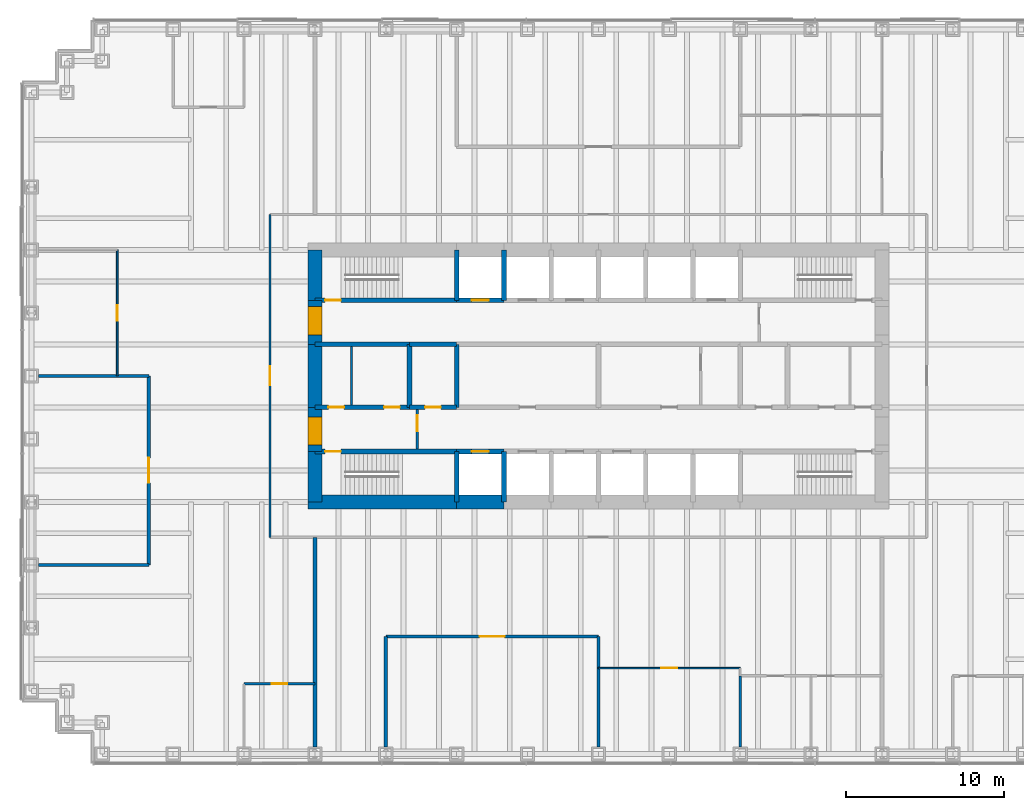
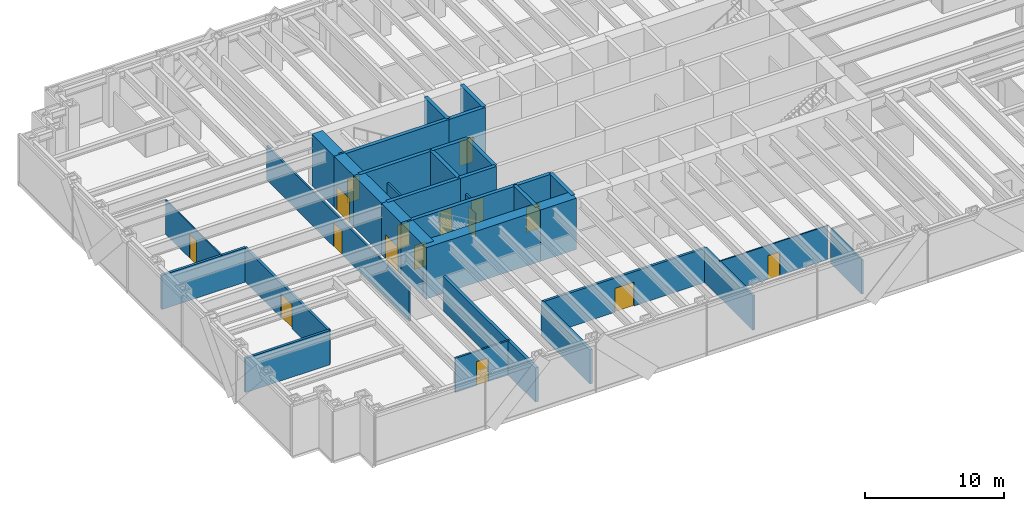
# One storey, part 9 of 13: 35 walls, 16 doors, 16 openings.
"""IFC4 building model written with IfcOpenShell, lengths in metres."""

from ifc_helpers import new_model, si_unit, direction, frame, frame_2d, origin, place, context, subcontext, project, spatial, rectangle, extrude, material, layer, layer_set, type_object, element, fill, save


model = new_model("IFC4")

# Units and contexts
model_context = context("Model", 3, precision=1e-05, world=origin(), true_north=direction((0.0, 1.0)))
body_context = subcontext(model_context, "Body", "Model", "MODEL_VIEW")
ifc_project = project(units=[si_unit("LENGTHUNIT", "METRE"), si_unit("AREAUNIT", "SQUARE_METRE"), si_unit("VOLUMEUNIT", "CUBIC_METRE"), si_unit("PLANEANGLEUNIT", "RADIAN"), si_unit("MASSUNIT", "GRAM", prefix="KILO")], contexts=[model_context])

# Site, building, storey
site_placement = place(None, origin())
site = spatial("IfcSite", under=ifc_project, at=site_placement, CompositionType="ELEMENT")
building_placement = place(site_placement, origin())
building = spatial("IfcBuilding", under=site, at=building_placement, Name="Rheinbord Bourse Tower", CompositionType="ELEMENT")
storey_placement = place(building_placement, frame((0.0, 0.0, 72.5)))
storey = spatial("IfcBuildingStorey", under=building, at=storey_placement, Name="L15", CompositionType="ELEMENT", Elevation=72.5)

# Wall, opening, door
ifc_material_1 = material(Name="Acoustic gypsum board partition", Category="gypsum board")
ifc_layer_1 = layer(ifc_material_1, 0.199951171875)
ifc_layer_set_1 = layer_set([ifc_layer_1], Name="ACOUSTIC PARTITION 200")
wall_type_1 = type_object("IfcWallType", Name="ACOUSTIC PARTITION 200", PredefinedType="PARTITIONING", material=ifc_layer_set_1)
wall_1_placement = place(storey_placement, frame((22.5, 7.449951171875, 0.0), z_axis=(0.0, 0.0, 1.0), x_axis=(1.0, 0.0, 0.0)))
wall_1 = element("IfcWall", 1, at=wall_1_placement, inside=storey, type_object=wall_type_1, Name="Partition L15-06", PredefinedType="PARTITIONING", context=body_context, shape_type="SweptSolid", body=[
    extrude(rectangle(XDim=13.5, YDim=0.199951171875, at=frame_2d((6.75, 0.0))), origin(), (0.0, 0.0, 1.0), 3.0),
])
opening_1_placement = place(wall_1_placement, frame((5.949951171875, 0.0, 0.0)))
opening_1 = element("IfcOpeningElement", 2, at=opening_1_placement, cuts=wall_1, Name="Opening 15D07", PredefinedType="OPENING", context=body_context, shape_type="SweptSolid", body=[
    extrude(rectangle(XDim=1.60009765625, YDim=2.10009765625, at=frame_2d((0.800048828125, 1.050048828125))), frame((0.0, 0.10986328125, 0.0), z_axis=(0.0, -1.0, 0.0), x_axis=(1.0, 0.0, 0.0)), (0.0, 0.0, 1.0), 0.219970703125),
])
ifc_material_2 = material(Name="Timber door", Category="wood")
door_type_1 = type_object("IfcDoorType", Name="DOUBLE ROOM DOOR 1600", OperationType="DOUBLE_DOOR_DOUBLE_SWING", PredefinedType="DOOR", material=ifc_material_2)
door_1_placement = place(opening_1_placement, origin())
door_1 = element("IfcDoor", 3, at=door_1_placement, inside=storey, type_object=door_type_1, Name="Trading room door L15", OperationType="SINGLE_SWING_LEFT", OverallHeight=2.10009765625, OverallWidth=1.60009765625, PredefinedType="DOOR", context=body_context, shape_type="SweptSolid", body=[
    extrude(rectangle(XDim=1.60009765625, YDim=2.10009765625, at=frame_2d((0.800048828125, 1.050048828125))), frame((0.0, 0.02490234375, 0.0), z_axis=(0.0, -1.0, 0.0), x_axis=(1.0, 0.0, 0.0)), (0.0, 0.0, 1.0), 0.050048828125),
])
fill(opening_1, door_1)

# Walls
for number, where, z_axis, x_axis, name in (
    (4, (0.449951171875, 12.0, 0.0), (0.0, 0.0, 1.0), (1.0, 0.0, 0.0), "Partition L15-07"),
    (5, (0.449951171875, 24.0, 0.0), (0.0, 0.0, 1.0), (1.0, 0.0, 0.0), "Partition L15-11"),
):
    element("IfcWall", number, at=place(storey_placement, frame(where, z_axis=z_axis, x_axis=x_axis)), inside=storey, type_object=wall_type_1, Name=name, PredefinedType="PARTITIONING", context=body_context, shape_type="SweptSolid", body=[
        extrude(rectangle(XDim=7.0, YDim=0.199951171875, at=frame_2d((3.5, 0.0))), origin(), (0.0, 0.0, 1.0), 3.0),
    ])

# Wall, opening, door
wall_2_placement = place(storey_placement, frame((7.449951171875, 12.0, 0.0), z_axis=(0.0, 0.0, 1.0), x_axis=(0.0, 1.0, 0.0)))
wall_2 = element("IfcWall", 6, at=wall_2_placement, inside=storey, type_object=wall_type_1, Name="Partition L15-22", PredefinedType="PARTITIONING", context=body_context, shape_type="SweptSolid", body=[
    extrude(rectangle(XDim=12.0, YDim=0.199951171875, at=frame_2d((6.0, 0.0))), origin(), (0.0, 0.0, 1.0), 3.0),
])
opening_2_placement = place(wall_2_placement, frame((5.199951171875, 0.0, 0.0)))
opening_2 = element("IfcOpeningElement", 7, at=opening_2_placement, cuts=wall_2, Name="Opening 15D09", PredefinedType="OPENING", context=body_context, shape_type="SweptSolid", body=[
    extrude(rectangle(XDim=1.60009765625, YDim=2.10009765625, at=frame_2d((0.800048828125, 1.050048828125))), frame((0.0, 0.10986328125, 0.0), z_axis=(0.0, -1.0, 0.0), x_axis=(1.0, 0.0, 0.0)), (0.0, 0.0, 1.0), 0.219970703125),
])
door_2_placement = place(opening_2_placement, origin())
door_2 = element("IfcDoor", 8, at=door_2_placement, inside=storey, type_object=door_type_1, Name="Trading room door L15", OperationType="SINGLE_SWING_LEFT", OverallHeight=2.10009765625, OverallWidth=1.60009765625, PredefinedType="DOOR", context=body_context, shape_type="SweptSolid", body=[
    extrude(rectangle(XDim=1.60009765625, YDim=2.10009765625, at=frame_2d((0.800048828125, 1.050048828125))), frame((0.0, 0.02490234375, 0.0), z_axis=(0.0, -1.0, 0.0), x_axis=(1.0, 0.0, 0.0)), (0.0, 0.0, 1.0), 0.050048828125),
])
fill(opening_2, door_2)

# Walls
for number, where, z_axis, x_axis, name in (
    (9, (22.5, 0.449951171875, 0.0), (0.0, 0.0, 1.0), (0.0, 1.0, 0.0), "Partition L15-29"),
    (10, (36.0, 0.449951171875, 0.0), (0.0, 0.0, 1.0), (0.0, 1.0, 0.0), "Partition L15-31"),
):
    element("IfcWall", number, at=place(storey_placement, frame(where, z_axis=z_axis, x_axis=x_axis)), inside=storey, type_object=wall_type_1, Name=name, PredefinedType="PARTITIONING", context=body_context, shape_type="SweptSolid", body=[
        extrude(rectangle(XDim=7.0, YDim=0.199951171875, at=frame_2d((3.5, 0.0))), origin(), (0.0, 0.0, 1.0), 3.0),
    ])

# Wall, opening, door
ifc_material_3 = material(Name="Concrete C50/60", Category="concrete")
ifc_layer_2 = layer(ifc_material_3, 0.300048828125)
ifc_layer_set_2 = layer_set([ifc_layer_2], Name="CORE INNER WALL 300")
wall_type_2 = type_object("IfcWallType", Name="CORE INNER WALL 300", PredefinedType="SOLIDWALL", material=ifc_layer_set_2)
wall_3_placement = place(storey_placement, frame((18.0, 19.199951171875, 0.0), z_axis=(0.0, 0.0, 1.0), x_axis=(1.0, 0.0, 0.0)))
wall_3 = element("IfcWall", 11, at=wall_3_placement, inside=storey, type_object=wall_type_2, Name="Core wall A1 L15", PredefinedType="SOLIDWALL", context=body_context, shape_type="SweptSolid", body=[
    extrude(rectangle(XDim=9.0, YDim=0.300048828125, at=frame_2d((4.5, 0.0))), origin(), (0.0, 0.0, 1.0), 4.5),
])
opening_3_placement = place(wall_3_placement, frame((0.64990234375, 0.0, 0.0)))
opening_3 = element("IfcOpeningElement", 12, at=opening_3_placement, cuts=wall_3, Name="Opening 1510", PredefinedType="OPENING", context=body_context, shape_type="SweptSolid", body=[
    extrude(rectangle(XDim=1.0, YDim=2.10009765625, at=frame_2d((0.5, 1.050048828125))), frame((0.0, 0.159912109375, 0.0), z_axis=(0.0, -1.0, 0.0), x_axis=(1.0, 0.0, 0.0)), (0.0, 0.0, 1.0), 0.320068359375),
])
ifc_material_4 = material(Name="Steel door", Category="steel")
door_type_2 = type_object("IfcDoorType", Name="DOOR 1000 EI30", OperationType="SINGLE_SWING_LEFT", PredefinedType="DOOR", material=ifc_material_4)
door_3_placement = place(opening_3_placement, origin())
door_3 = element("IfcDoor", 13, at=door_3_placement, inside=storey, type_object=door_type_2, Name="Stair door ST1 L15", OperationType="SINGLE_SWING_LEFT", OverallHeight=2.10009765625, OverallWidth=1.0, PredefinedType="DOOR", context=body_context, shape_type="SweptSolid", body=[
    extrude(rectangle(XDim=1.0, YDim=2.10009765625, at=frame_2d((0.5, 1.050048828125))), frame((0.0, 0.02490234375, 0.0), z_axis=(0.0, -1.0, 0.0), x_axis=(1.0, 0.0, 0.0)), (0.0, 0.0, 1.0), 0.050048828125),
])
fill(opening_3, door_3)

wall_4_placement = place(storey_placement, frame((27.0, 19.199951171875, 0.0), z_axis=(0.0, 0.0, 1.0), x_axis=(1.0, 0.0, 0.0)))
wall_4 = element("IfcWall", 14, at=wall_4_placement, inside=storey, type_object=wall_type_2, Name="Core wall A2 L15", PredefinedType="SOLIDWALL", context=body_context, shape_type="SweptSolid", body=[
    extrude(rectangle(XDim=3.0, YDim=0.300048828125, at=frame_2d((1.5, 0.0))), origin(), (0.0, 0.0, 1.0), 4.5),
])
opening_4_placement = place(wall_4_placement, frame((0.949951171875, 0.0, 0.0)))
opening_4 = element("IfcOpeningElement", 15, at=opening_4_placement, cuts=wall_4, Name="Opening FL1", PredefinedType="OPENING", context=body_context, shape_type="SweptSolid", body=[
    extrude(rectangle(XDim=1.10009765625, YDim=2.199951171875, at=frame_2d((0.550048828125, 1.10009765625))), frame((0.0, 0.159912109375, 0.0), z_axis=(0.0, -1.0, 0.0), x_axis=(1.0, 0.0, 0.0)), (0.0, 0.0, 1.0), 0.320068359375),
])
ifc_material_5 = material(Name="Steel landing door", Category="steel")
door_type_3 = type_object("IfcDoorType", Name="LIFT LANDING DOOR 1100", OperationType="DOUBLE_DOOR_SLIDING", PredefinedType="USERDEFINED", material=ifc_material_5)
door_4_placement = place(opening_4_placement, origin())
door_4 = element("IfcDoor", 16, at=door_4_placement, inside=storey, type_object=door_type_3, Name="Lift landing door FL1 L15", ObjectType="LIFT LANDING DOOR", OperationType="DOUBLE_DOOR_SLIDING", OverallHeight=2.199951171875, OverallWidth=1.10009765625, PredefinedType="USERDEFINED", context=body_context, shape_type="SweptSolid", body=[
    extrude(rectangle(XDim=1.10009765625, YDim=2.199951171875, at=frame_2d((0.550048828125, 1.10009765625))), frame((0.0, 0.02490234375, 0.0), z_axis=(0.0, -1.0, 0.0), x_axis=(1.0, 0.0, 0.0)), (0.0, 0.0, 1.0), 0.050048828125),
])
fill(opening_4, door_4)

wall_5_placement = place(storey_placement, frame((18.0, 28.800048828125, 0.0), z_axis=(0.0, 0.0, 1.0), x_axis=(1.0, 0.0, 0.0)))
wall_5 = element("IfcWall", 17, at=wall_5_placement, inside=storey, type_object=wall_type_2, Name="Core wall B1 L15", PredefinedType="SOLIDWALL", context=body_context, shape_type="SweptSolid", body=[
    extrude(rectangle(XDim=9.0, YDim=0.300048828125, at=frame_2d((4.5, 0.0))), origin(), (0.0, 0.0, 1.0), 4.5),
])
opening_5_placement = place(wall_5_placement, frame((0.64990234375, 0.0, 0.0)))
opening_5 = element("IfcOpeningElement", 18, at=opening_5_placement, cuts=wall_5, Name="Opening 1520", PredefinedType="OPENING", context=body_context, shape_type="SweptSolid", body=[
    extrude(rectangle(XDim=1.0, YDim=2.10009765625, at=frame_2d((0.5, 1.050048828125))), frame((0.0, 0.159912109375, 0.0), z_axis=(0.0, -1.0, 0.0), x_axis=(1.0, 0.0, 0.0)), (0.0, 0.0, 1.0), 0.320068359375),
])
door_5_placement = place(opening_5_placement, origin())
door_5 = element("IfcDoor", 19, at=door_5_placement, inside=storey, type_object=door_type_2, Name="Stair door ST2 L15", OperationType="SINGLE_SWING_LEFT", OverallHeight=2.10009765625, OverallWidth=1.0, PredefinedType="DOOR", context=body_context, shape_type="SweptSolid", body=[
    extrude(rectangle(XDim=1.0, YDim=2.10009765625, at=frame_2d((0.5, 1.050048828125))), frame((0.0, 0.02490234375, 0.0), z_axis=(0.0, -1.0, 0.0), x_axis=(1.0, 0.0, 0.0)), (0.0, 0.0, 1.0), 0.050048828125),
])
fill(opening_5, door_5)

wall_6_placement = place(storey_placement, frame((27.0, 28.800048828125, 0.0), z_axis=(0.0, 0.0, 1.0), x_axis=(1.0, 0.0, 0.0)))
wall_6 = element("IfcWall", 20, at=wall_6_placement, inside=storey, type_object=wall_type_2, Name="Core wall B2 L15", PredefinedType="SOLIDWALL", context=body_context, shape_type="SweptSolid", body=[
    extrude(rectangle(XDim=3.0, YDim=0.300048828125, at=frame_2d((1.5, 0.0))), origin(), (0.0, 0.0, 1.0), 4.5),
])
opening_6_placement = place(wall_6_placement, frame((0.949951171875, 0.0, 0.0)))
opening_6 = element("IfcOpeningElement", 21, at=opening_6_placement, cuts=wall_6, Name="Opening GL1", PredefinedType="OPENING", context=body_context, shape_type="SweptSolid", body=[
    extrude(rectangle(XDim=1.10009765625, YDim=2.199951171875, at=frame_2d((0.550048828125, 1.10009765625))), frame((0.0, 0.159912109375, 0.0), z_axis=(0.0, -1.0, 0.0), x_axis=(1.0, 0.0, 0.0)), (0.0, 0.0, 1.0), 0.320068359375),
])
door_6_placement = place(opening_6_placement, origin())
door_6 = element("IfcDoor", 22, at=door_6_placement, inside=storey, type_object=door_type_3, Name="Lift landing door GL1 L15", ObjectType="LIFT LANDING DOOR", OperationType="DOUBLE_DOOR_SLIDING", OverallHeight=2.199951171875, OverallWidth=1.10009765625, PredefinedType="USERDEFINED", context=body_context, shape_type="SweptSolid", body=[
    extrude(rectangle(XDim=1.10009765625, YDim=2.199951171875, at=frame_2d((0.550048828125, 1.10009765625))), frame((0.0, 0.02490234375, 0.0), z_axis=(0.0, -1.0, 0.0), x_axis=(1.0, 0.0, 0.0)), (0.0, 0.0, 1.0), 0.050048828125),
])
fill(opening_6, door_6)

# Wall, openings, doors
wall_7_placement = place(storey_placement, frame((18.0, 22.0, 0.0), z_axis=(0.0, 0.0, 1.0), x_axis=(1.0, 0.0, 0.0)))
wall_7 = element("IfcWall", 23, at=wall_7_placement, inside=storey, type_object=wall_type_2, Name="Core wall C1 L15", PredefinedType="SOLIDWALL", context=body_context, shape_type="SweptSolid", body=[
    extrude(rectangle(XDim=6.0, YDim=0.300048828125, at=frame_2d((3.0, 0.0))), origin(), (0.0, 0.0, 1.0), 4.5),
])
opening_7_placement = place(wall_7_placement, frame((4.39990234375, 0.0, 0.0)))
opening_7 = element("IfcOpeningElement", 24, at=opening_7_placement, cuts=wall_7, Name="Opening 15R1", PredefinedType="OPENING", context=body_context, shape_type="SweptSolid", body=[
    extrude(rectangle(XDim=1.0, YDim=2.10009765625, at=frame_2d((0.5, 1.050048828125))), frame((0.0, 0.159912109375, 0.0), z_axis=(0.0, -1.0, 0.0), x_axis=(1.0, 0.0, 0.0)), (0.0, 0.0, 1.0), 0.320068359375),
])
opening_8_placement = place(wall_7_placement, frame((0.85009765625, 0.0, 0.0)))
opening_8 = element("IfcOpeningElement", 25, at=opening_8_placement, cuts=wall_7, Name="Opening 15R9", PredefinedType="OPENING", context=body_context, shape_type="SweptSolid", body=[
    extrude(rectangle(XDim=1.0, YDim=2.10009765625, at=frame_2d((0.5, 1.050048828125))), frame((0.0, 0.159912109375, 0.0), z_axis=(0.0, -1.0, 0.0), x_axis=(1.0, 0.0, 0.0)), (0.0, 0.0, 1.0), 0.320068359375),
])
door_7_placement = place(opening_8_placement, origin())
door_7 = element("IfcDoor", 26, at=door_7_placement, inside=storey, type_object=door_type_2, Name="Staff shower door L15", OperationType="SINGLE_SWING_LEFT", OverallHeight=2.10009765625, OverallWidth=1.0, PredefinedType="DOOR", context=body_context, shape_type="SweptSolid", body=[
    extrude(rectangle(XDim=1.0, YDim=2.10009765625, at=frame_2d((0.5, 1.050048828125))), frame((0.0, 0.02490234375, 0.0), z_axis=(0.0, -1.0, 0.0), x_axis=(1.0, 0.0, 0.0)), (0.0, 0.0, 1.0), 0.050048828125),
])
fill(opening_8, door_7)
ifc_material_6 = material(Name="Timber door", Category="wood")
door_type_4 = type_object("IfcDoorType", Name="DOOR 1000 WC", OperationType="SINGLE_SWING_LEFT", PredefinedType="DOOR", material=ifc_material_6)
door_8_placement = place(opening_7_placement, origin())
door_8 = element("IfcDoor", 27, at=door_8_placement, inside=storey, type_object=door_type_4, Name="WC men door L15", OperationType="SINGLE_SWING_RIGHT", OverallHeight=2.10009765625, OverallWidth=1.0, PredefinedType="DOOR", context=body_context, shape_type="SweptSolid", body=[
    extrude(rectangle(XDim=1.0, YDim=2.10009765625, at=frame_2d((0.5, 1.050048828125))), frame((0.0, 0.02490234375, 0.0), z_axis=(0.0, -1.0, 0.0), x_axis=(1.0, 0.0, 0.0)), (0.0, 0.0, 1.0), 0.050048828125),
])
fill(opening_7, door_8)

# Wall, opening, door
wall_8_placement = place(storey_placement, frame((24.0, 22.0, 0.0), z_axis=(0.0, 0.0, 1.0), x_axis=(1.0, 0.0, 0.0)))
wall_8 = element("IfcWall", 28, at=wall_8_placement, inside=storey, type_object=wall_type_2, Name="Core wall C2 L15", PredefinedType="SOLIDWALL", context=body_context, shape_type="SweptSolid", body=[
    extrude(rectangle(XDim=3.0, YDim=0.300048828125, at=frame_2d((1.5, 0.0))), origin(), (0.0, 0.0, 1.0), 4.5),
])
opening_9_placement = place(wall_8_placement, frame((1.0, 0.0, 0.0)))
opening_9 = element("IfcOpeningElement", 29, at=opening_9_placement, cuts=wall_8, Name="Opening 15R2", PredefinedType="OPENING", context=body_context, shape_type="SweptSolid", body=[
    extrude(rectangle(XDim=1.0, YDim=2.10009765625, at=frame_2d((0.5, 1.050048828125))), frame((0.0, 0.159912109375, 0.0), z_axis=(0.0, -1.0, 0.0), x_axis=(1.0, 0.0, 0.0)), (0.0, 0.0, 1.0), 0.320068359375),
])
door_9_placement = place(opening_9_placement, origin())
door_9 = element("IfcDoor", 30, at=door_9_placement, inside=storey, type_object=door_type_4, Name="Shower and accessible WC door L15", OperationType="SINGLE_SWING_LEFT", OverallHeight=2.10009765625, OverallWidth=1.0, PredefinedType="DOOR", context=body_context, shape_type="SweptSolid", body=[
    extrude(rectangle(XDim=1.0, YDim=2.10009765625, at=frame_2d((0.5, 1.050048828125))), frame((0.0, 0.02490234375, 0.0), z_axis=(0.0, -1.0, 0.0), x_axis=(1.0, 0.0, 0.0)), (0.0, 0.0, 1.0), 0.050048828125),
])
fill(opening_9, door_9)

# Walls
wall_9_placement = place(storey_placement, frame((18.0, 26.0, 0.0), z_axis=(0.0, 0.0, 1.0), x_axis=(1.0, 0.0, 0.0)))
element("IfcWall", 31, at=wall_9_placement, inside=storey, type_object=wall_type_2, Name="Core wall D1 L15", PredefinedType="SOLIDWALL", context=body_context, shape_type="SweptSolid", body=[
    extrude(rectangle(XDim=6.0, YDim=0.300048828125, at=frame_2d((3.0, 0.0))), origin(), (0.0, 0.0, 1.0), 4.5),
])
wall_10_placement = place(storey_placement, frame((24.0, 26.0, 0.0), z_axis=(0.0, 0.0, 1.0), x_axis=(1.0, 0.0, 0.0)))
element("IfcWall", 32, at=wall_10_placement, inside=storey, type_object=wall_type_2, Name="Core wall D2 L15", PredefinedType="SOLIDWALL", context=body_context, shape_type="SweptSolid", body=[
    extrude(rectangle(XDim=3.0, YDim=0.300048828125, at=frame_2d((1.5, 0.0))), origin(), (0.0, 0.0, 1.0), 4.5),
])
for number, where, z_axis, x_axis, name in (
    (33, (27.0, 16.0, 0.0), (0.0, 0.0, 1.0), (0.0, 1.0, 0.0), "Core wall SX27 L15"),
    (34, (27.0, 28.800048828125, 0.0), (0.0, 0.0, 1.0), (0.0, 1.0, 0.0), "Core wall NX27 L15"),
    (35, (30.0, 16.0, 0.0), (0.0, 0.0, 1.0), (0.0, 1.0, 0.0), "Core wall SX30 L15"),
    (36, (30.0, 28.800048828125, 0.0), (0.0, 0.0, 1.0), (0.0, 1.0, 0.0), "Core wall NX30 L15"),
):
    element("IfcWall", number, at=place(storey_placement, frame(where, z_axis=z_axis, x_axis=x_axis)), inside=storey, type_object=wall_type_2, Name=name, PredefinedType="SOLIDWALL", context=body_context, shape_type="SweptSolid", body=[
        extrude(rectangle(XDim=3.199951171875, YDim=0.300048828125, at=frame_2d((1.60009765625, 0.0))), origin(), (0.0, 0.0, 1.0), 4.5),
    ])
for number, where, z_axis, x_axis, name in (
    (37, (24.0, 22.0, 0.0), (0.0, 0.0, 1.0), (0.0, 1.0, 0.0), "Core wall MX24 L15"),
    (38, (27.0, 22.0, 0.0), (0.0, 0.0, 1.0), (0.0, 1.0, 0.0), "Core wall MX27 L15"),
):
    element("IfcWall", number, at=place(storey_placement, frame(where, z_axis=z_axis, x_axis=x_axis)), inside=storey, type_object=wall_type_2, Name=name, PredefinedType="SOLIDWALL", context=body_context, shape_type="SweptSolid", body=[
        extrude(rectangle(XDim=4.0, YDim=0.300048828125, at=frame_2d((2.0, 0.0))), origin(), (0.0, 0.0, 1.0), 4.5),
    ])
ifc_material_7 = material(Name="Gypsum board fire partition", Category="gypsum board")
ifc_layer_3 = layer(ifc_material_7, 0.14990234375)
ifc_layer_set_3 = layer_set([ifc_layer_3], Name="CORE PARTITION 150 EI30")
wall_type_3 = type_object("IfcWallType", Name="CORE PARTITION 150 EI30", PredefinedType="PARTITIONING", material=ifc_layer_set_3)
wall_11_placement = place(storey_placement, frame((20.324951171875, 22.14990234375, 0.0), z_axis=(0.0, 0.0, 1.0), x_axis=(0.0, 1.0, 0.0)))
element("IfcWall", 39, at=wall_11_placement, inside=storey, type_object=wall_type_3, Name="Core partition L15-2", PredefinedType="PARTITIONING", context=body_context, shape_type="SweptSolid", body=[
    extrude(rectangle(XDim=3.7001953125, YDim=0.14990234375, at=frame_2d((1.85009765625, 0.0))), origin(), (0.0, 0.0, 1.0), 3.0),
])

# Wall, opening, door
wall_12_placement = place(storey_placement, frame((24.5, 19.35009765625, 0.0), z_axis=(0.0, 0.0, 1.0), x_axis=(0.0, 1.0, 0.0)))
wall_12 = element("IfcWall", 40, at=wall_12_placement, inside=storey, type_object=wall_type_3, Name="Core partition L15-4", PredefinedType="PARTITIONING", context=body_context, shape_type="SweptSolid", body=[
    extrude(rectangle(XDim=2.5, YDim=0.14990234375, at=frame_2d((1.25, 0.0))), origin(), (0.0, 0.0, 1.0), 3.0),
])
opening_10_placement = place(wall_12_placement, frame((1.14990234375, 0.0, 0.0)))
opening_10 = element("IfcOpeningElement", 41, at=opening_10_placement, cuts=wall_12, Name="Opening 15L5", PredefinedType="OPENING", context=body_context, shape_type="SweptSolid", body=[
    extrude(rectangle(XDim=1.0, YDim=2.10009765625, at=frame_2d((0.5, 1.050048828125))), frame((0.0, 0.0849609375, 0.0), z_axis=(0.0, -1.0, 0.0), x_axis=(1.0, 0.0, 0.0)), (0.0, 0.0, 1.0), 0.169921875),
])
door_10_placement = place(opening_10_placement, origin())
door_10 = element("IfcDoor", 42, at=door_10_placement, inside=storey, type_object=door_type_2, Name="Stair lobby door L15", OperationType="SINGLE_SWING_RIGHT", OverallHeight=2.10009765625, OverallWidth=1.0, PredefinedType="DOOR", context=body_context, shape_type="SweptSolid", body=[
    extrude(rectangle(XDim=1.0, YDim=2.10009765625, at=frame_2d((0.5, 1.050048828125))), frame((0.0, 0.02490234375, 0.0), z_axis=(0.0, -1.0, 0.0), x_axis=(1.0, 0.0, 0.0)), (0.0, 0.0, 1.0), 0.050048828125),
])
fill(opening_10, door_10)

# Walls
ifc_material_8 = material(Name="Concrete C50/60", Category="concrete")
ifc_layer_4 = layer(ifc_material_8, 0.89990234375)
ifc_layer_set_4 = layer_set([ifc_layer_4], Name="CORE WALL 900")
wall_type_4 = type_object("IfcWallType", Name="CORE WALL 900", PredefinedType="SHEAR", material=ifc_layer_set_4)
wall_13_placement = place(storey_placement, frame((17.550048828125, 16.0, 0.0), z_axis=(0.0, 0.0, 1.0), x_axis=(1.0, 0.0, 0.0)))
element("IfcWall", 43, at=wall_13_placement, inside=storey, type_object=wall_type_4, Name="Core wall S1 L15", PredefinedType="SHEAR", context=body_context, shape_type="SweptSolid", body=[
    extrude(rectangle(XDim=9.449951171875, YDim=0.89990234375, at=frame_2d((4.72509765625, 0.0))), origin(), (0.0, 0.0, 1.0), 4.5),
])
wall_14_placement = place(storey_placement, frame((27.0, 16.0, 0.0), z_axis=(0.0, 0.0, 1.0), x_axis=(1.0, 0.0, 0.0)))
element("IfcWall", 44, at=wall_14_placement, inside=storey, type_object=wall_type_4, Name="Core wall S2 L15", PredefinedType="SHEAR", context=body_context, shape_type="SweptSolid", body=[
    extrude(rectangle(XDim=3.0, YDim=0.89990234375, at=frame_2d((1.5, 0.0))), origin(), (0.0, 0.0, 1.0), 4.5),
])
wall_15_placement = place(storey_placement, frame((18.0, 32.0, 0.0), z_axis=(0.0, 0.0, 1.0), x_axis=(0.0, -1.0, 0.0)))
element("IfcWall", 45, at=wall_15_placement, inside=storey, type_object=wall_type_4, Name="Core wall W1 L15", PredefinedType="SHEAR", context=body_context, shape_type="SweptSolid", body=[
    extrude(rectangle(XDim=3.199951171875, YDim=0.89990234375, at=frame_2d((1.60009765625, 0.0))), origin(), (0.0, 0.0, 1.0), 4.5),
])

# Wall, opening, door
wall_16_placement = place(storey_placement, frame((18.0, 28.800048828125, 0.0), z_axis=(0.0, 0.0, 1.0), x_axis=(0.0, -1.0, 0.0)))
wall_16 = element("IfcWall", 46, at=wall_16_placement, inside=storey, type_object=wall_type_4, Name="Core wall W2 L15", PredefinedType="SHEAR", context=body_context, shape_type="SweptSolid", body=[
    extrude(rectangle(XDim=2.800048828125, YDim=0.89990234375, at=frame_2d((1.39990234375, 0.0))), origin(), (0.0, 0.0, 1.0), 4.5),
])
opening_11_placement = place(wall_16_placement, frame((0.39990234375, 0.0, 0.0)))
opening_11 = element("IfcOpeningElement", 47, at=opening_11_placement, cuts=wall_16, Name="Opening 15L2", PredefinedType="OPENING", context=body_context, shape_type="SweptSolid", body=[
    extrude(rectangle(XDim=1.800048828125, YDim=2.10009765625, at=frame_2d((0.89990234375, 1.050048828125))), frame((0.0, 0.4599609375, 0.0), z_axis=(0.0, -1.0, 0.0), x_axis=(1.0, 0.0, 0.0)), (0.0, 0.0, 1.0), 0.919921875),
])
ifc_material_9 = material(Name="Steel door", Category="steel")
door_type_5 = type_object("IfcDoorType", Name="DOOR 1800 EI30 DOUBLE", OperationType="DOUBLE_DOOR_DOUBLE_SWING", PredefinedType="DOOR", material=ifc_material_9)
door_11_placement = place(opening_11_placement, origin())
door_11 = element("IfcDoor", 48, at=door_11_placement, inside=storey, type_object=door_type_5, Name="Lobby door 2 L15", OperationType="SINGLE_SWING_LEFT", OverallHeight=2.10009765625, OverallWidth=1.800048828125, PredefinedType="DOOR", context=body_context, shape_type="SweptSolid", body=[
    extrude(rectangle(XDim=1.800048828125, YDim=2.10009765625, at=frame_2d((0.89990234375, 1.050048828125))), frame((0.0, 0.44970703125, 0.0), z_axis=(0.0, -1.0, 0.0), x_axis=(1.0, 0.0, 0.0)), (0.0, 0.0, 1.0), 0.8994140625),
])
fill(opening_11, door_11)

# Wall
wall_17_placement = place(storey_placement, frame((18.0, 26.0, 0.0), z_axis=(0.0, 0.0, 1.0), x_axis=(0.0, -1.0, 0.0)))
element("IfcWall", 49, at=wall_17_placement, inside=storey, type_object=wall_type_4, Name="Core wall W3 L15", PredefinedType="SHEAR", context=body_context, shape_type="SweptSolid", body=[
    extrude(rectangle(XDim=4.0, YDim=0.89990234375, at=frame_2d((2.0, 0.0))), origin(), (0.0, 0.0, 1.0), 4.5),
])

# Wall, opening, door
wall_18_placement = place(storey_placement, frame((18.0, 22.0, 0.0), z_axis=(0.0, 0.0, 1.0), x_axis=(0.0, -1.0, 0.0)))
wall_18 = element("IfcWall", 50, at=wall_18_placement, inside=storey, type_object=wall_type_4, Name="Core wall W4 L15", PredefinedType="SHEAR", context=body_context, shape_type="SweptSolid", body=[
    extrude(rectangle(XDim=2.800048828125, YDim=0.89990234375, at=frame_2d((1.39990234375, 0.0))), origin(), (0.0, 0.0, 1.0), 4.5),
])
opening_12_placement = place(wall_18_placement, frame((0.60009765625, 0.0, 0.0)))
opening_12 = element("IfcOpeningElement", 51, at=opening_12_placement, cuts=wall_18, Name="Opening 15L1", PredefinedType="OPENING", context=body_context, shape_type="SweptSolid", body=[
    extrude(rectangle(XDim=1.800048828125, YDim=2.10009765625, at=frame_2d((0.89990234375, 1.050048828125))), frame((0.0, 0.4599609375, 0.0), z_axis=(0.0, -1.0, 0.0), x_axis=(1.0, 0.0, 0.0)), (0.0, 0.0, 1.0), 0.919921875),
])
door_12_placement = place(opening_12_placement, origin())
door_12 = element("IfcDoor", 52, at=door_12_placement, inside=storey, type_object=door_type_5, Name="Lobby door 1 L15", OperationType="SINGLE_SWING_LEFT", OverallHeight=2.10009765625, OverallWidth=1.800048828125, PredefinedType="DOOR", context=body_context, shape_type="SweptSolid", body=[
    extrude(rectangle(XDim=1.800048828125, YDim=2.10009765625, at=frame_2d((0.89990234375, 1.050048828125))), frame((0.0, 0.44970703125, 0.0), z_axis=(0.0, -1.0, 0.0), x_axis=(1.0, 0.0, 0.0)), (0.0, 0.0, 1.0), 0.8994140625),
])
fill(opening_12, door_12)

# Wall
wall_19_placement = place(storey_placement, frame((18.0, 19.199951171875, 0.0), z_axis=(0.0, 0.0, 1.0), x_axis=(0.0, -1.0, 0.0)))
element("IfcWall", 53, at=wall_19_placement, inside=storey, type_object=wall_type_4, Name="Core wall W5 L15", PredefinedType="SHEAR", context=body_context, shape_type="SweptSolid", body=[
    extrude(rectangle(XDim=3.199951171875, YDim=0.89990234375, at=frame_2d((1.60009765625, 0.0))), origin(), (0.0, 0.0, 1.0), 4.5),
])

# Wall, opening, door
ifc_material_10 = material(Name="Gypsum board corridor partition", Category="gypsum board")
ifc_layer_5 = layer(ifc_material_10, 0.14990234375)
ifc_layer_set_5 = layer_set([ifc_layer_5], Name="CORRIDOR PARTITION 150 EI30")
wall_type_5 = type_object("IfcWallType", Name="CORRIDOR PARTITION 150 EI30", PredefinedType="PARTITIONING", material=ifc_layer_set_5)
wall_20_placement = place(storey_placement, frame((15.14990234375, 13.75, 0.0), z_axis=(0.0, 0.0, 1.0), x_axis=(0.0, 1.0, 0.0)))
wall_20 = element("IfcWall", 54, at=wall_20_placement, inside=storey, type_object=wall_type_5, Name="Partition L15-26", PredefinedType="PARTITIONING", context=body_context, shape_type="SweptSolid", body=[
    extrude(rectangle(XDim=20.5, YDim=0.14990234375, at=frame_2d((10.25, 0.0))), origin(), (0.0, 0.0, 1.0), 3.0),
])
opening_13_placement = place(wall_20_placement, frame((9.64990234375, 0.0, 0.0)))
opening_13 = element("IfcOpeningElement", 55, at=opening_13_placement, cuts=wall_20, Name="Opening 15D17", PredefinedType="OPENING", context=body_context, shape_type="SweptSolid", body=[
    extrude(rectangle(XDim=1.199951171875, YDim=2.10009765625, at=frame_2d((0.60009765625, 1.050048828125))), frame((0.0, 0.0849609375, 0.0), z_axis=(0.0, -1.0, 0.0), x_axis=(1.0, 0.0, 0.0)), (0.0, 0.0, 1.0), 0.169921875),
])
ifc_material_11 = material(Name="Timber fire door", Category="wood")
door_type_6 = type_object("IfcDoorType", Name="SUITE ENTRANCE DOOR 1200 EI30", OperationType="SINGLE_SWING_LEFT", PredefinedType="DOOR", material=ifc_material_11)
door_13_placement = place(opening_13_placement, origin())
door_13 = element("IfcDoor", 56, at=door_13_placement, inside=storey, type_object=door_type_6, Name="Suite entrance 1 door L15", OperationType="SINGLE_SWING_LEFT", OverallHeight=2.10009765625, OverallWidth=1.199951171875, PredefinedType="DOOR", context=body_context, shape_type="SweptSolid", body=[
    extrude(rectangle(XDim=1.199951171875, YDim=2.10009765625, at=frame_2d((0.60009765625, 1.050048828125))), frame((0.0, 0.02490234375, 0.0), z_axis=(0.0, -1.0, 0.0), x_axis=(1.0, 0.0, 0.0)), (0.0, 0.0, 1.0), 0.050048828125),
])
fill(opening_13, door_13)

# Wall
ifc_material_12 = material(Name="Gypsum board tenancy wall", Category="gypsum board")
ifc_layer_6 = layer(ifc_material_12, 0.25)
ifc_layer_set_6 = layer_set([ifc_layer_6], Name="DEMISING PARTITION 250 EI60")
wall_type_6 = type_object("IfcWallType", Name="DEMISING PARTITION 250 EI60", PredefinedType="PARTITIONING", material=ifc_layer_set_6)
wall_21_placement = place(storey_placement, frame((18.0, 0.449951171875, 0.0), z_axis=(0.0, 0.0, 1.0), x_axis=(0.0, 1.0, 0.0)))
element("IfcWall", 57, at=wall_21_placement, inside=storey, type_object=wall_type_6, Name="Partition L15-27", PredefinedType="PARTITIONING", context=body_context, shape_type="SweptSolid", body=[
    extrude(rectangle(XDim=13.300048828125, YDim=0.25, at=frame_2d((6.64990234375, 0.0))), origin(), (0.0, 0.0, 1.0), 3.0),
])

# Wall, opening, door
ifc_material_13 = material(Name="Gypsum board fire partition", Category="gypsum board")
ifc_layer_7 = layer(ifc_material_13, 0.14990234375)
ifc_layer_set_7 = layer_set([ifc_layer_7], Name="FIRE PARTITION 150 EI60")
wall_type_7 = type_object("IfcWallType", Name="FIRE PARTITION 150 EI60", PredefinedType="PARTITIONING", material=ifc_layer_set_7)
wall_22_placement = place(storey_placement, frame((13.5, 4.449951171875, 0.0), z_axis=(0.0, 0.0, 1.0), x_axis=(1.0, 0.0, 0.0)))
wall_22 = element("IfcWall", 58, at=wall_22_placement, inside=storey, type_object=wall_type_7, Name="Partition L15-01", PredefinedType="PARTITIONING", context=body_context, shape_type="SweptSolid", body=[
    extrude(rectangle(XDim=4.5, YDim=0.14990234375, at=frame_2d((2.25, 0.0))), origin(), (0.0, 0.0, 1.0), 3.0),
])
opening_14_placement = place(wall_22_placement, frame((1.75, 0.0, 0.0)))
opening_14 = element("IfcOpeningElement", 59, at=opening_14_placement, cuts=wall_22, Name="Opening 15D01", PredefinedType="OPENING", context=body_context, shape_type="SweptSolid", body=[
    extrude(rectangle(XDim=1.0, YDim=2.10009765625, at=frame_2d((0.5, 1.050048828125))), frame((0.0, 0.0849609375, 0.0), z_axis=(0.0, -1.0, 0.0), x_axis=(1.0, 0.0, 0.0)), (0.0, 0.0, 1.0), 0.169921875),
])
ifc_material_14 = material(Name="Timber fire door", Category="wood")
door_type_7 = type_object("IfcDoorType", Name="FIRE DOOR 1000 EI60", OperationType="SINGLE_SWING_LEFT", PredefinedType="DOOR", material=ifc_material_14)
door_14_placement = place(opening_14_placement, origin())
door_14 = element("IfcDoor", 60, at=door_14_placement, inside=storey, type_object=door_type_7, Name="Comms room door L15", OperationType="SINGLE_SWING_LEFT", OverallHeight=2.10009765625, OverallWidth=1.0, PredefinedType="DOOR", context=body_context, shape_type="SweptSolid", body=[
    extrude(rectangle(XDim=1.0, YDim=2.10009765625, at=frame_2d((0.5, 1.050048828125))), frame((0.0, 0.02490234375, 0.0), z_axis=(0.0, -1.0, 0.0), x_axis=(1.0, 0.0, 0.0)), (0.0, 0.0, 1.0), 0.050048828125),
])
fill(opening_14, door_14)

# Wall
wall_23_placement = place(storey_placement, frame((45.0, 0.449951171875, 0.0), z_axis=(0.0, 0.0, 1.0), x_axis=(0.0, 1.0, 0.0)))
element("IfcWall", 61, at=wall_23_placement, inside=storey, type_object=wall_type_7, Name="Partition L15-32", PredefinedType="PARTITIONING", context=body_context, shape_type="SweptSolid", body=[
    extrude(rectangle(XDim=4.5, YDim=0.14990234375, at=frame_2d((2.25, 0.0))), origin(), (0.0, 0.0, 1.0), 3.0),
])

# Wall, opening, door
ifc_material_15 = material(Name="Toughened laminated glass partition", Category="glass")
ifc_layer_8 = layer(ifc_material_15, 0.10009765625)
ifc_layer_set_8 = layer_set([ifc_layer_8], Name="GLAZED PARTITION 100")
wall_type_8 = type_object("IfcWallType", Name="GLAZED PARTITION 100", PredefinedType="PARTITIONING", material=ifc_layer_set_8)
wall_24_placement = place(storey_placement, frame((36.0, 5.449951171875, 0.0), z_axis=(0.0, 0.0, 1.0), x_axis=(1.0, 0.0, 0.0)))
wall_24 = element("IfcWall", 62, at=wall_24_placement, inside=storey, type_object=wall_type_8, Name="Partition L15-05", PredefinedType="PARTITIONING", context=body_context, shape_type="SweptSolid", body=[
    extrude(rectangle(XDim=9.0, YDim=0.10009765625, at=frame_2d((4.5, 0.0))), origin(), (0.0, 0.0, 1.0), 3.0),
])
opening_15_placement = place(wall_24_placement, frame((4.0, 0.0, 0.0)))
opening_15 = element("IfcOpeningElement", 63, at=opening_15_placement, cuts=wall_24, Name="Opening 15D06", PredefinedType="OPENING", context=body_context, shape_type="SweptSolid", body=[
    extrude(rectangle(XDim=1.0, YDim=2.10009765625, at=frame_2d((0.5, 1.050048828125))), frame((0.0, 0.06005859375, 0.0), z_axis=(0.0, -1.0, 0.0), x_axis=(1.0, 0.0, 0.0)), (0.0, 0.0, 1.0), 0.1201171875),
])
ifc_material_16 = material(Name="Timber door", Category="wood")
door_type_8 = type_object("IfcDoorType", Name="ROOM DOOR 1000", OperationType="SINGLE_SWING_LEFT", PredefinedType="DOOR", material=ifc_material_16)
door_15_placement = place(opening_15_placement, origin())
door_15 = element("IfcDoor", 64, at=door_15_placement, inside=storey, type_object=door_type_8, Name="Meeting room door L15", OperationType="SINGLE_SWING_LEFT", OverallHeight=2.10009765625, OverallWidth=1.0, PredefinedType="DOOR", context=body_context, shape_type="SweptSolid", body=[
    extrude(rectangle(XDim=1.0, YDim=2.10009765625, at=frame_2d((0.5, 1.050048828125))), frame((0.0, 0.02490234375, 0.0), z_axis=(0.0, -1.0, 0.0), x_axis=(1.0, 0.0, 0.0)), (0.0, 0.0, 1.0), 0.050048828125),
])
fill(opening_15, door_15)

wall_25_placement = place(storey_placement, frame((5.449951171875, 24.0, 0.0), z_axis=(0.0, 0.0, 1.0), x_axis=(0.0, 1.0, 0.0)))
wall_25 = element("IfcWall", 65, at=wall_25_placement, inside=storey, type_object=wall_type_8, Name="Partition L15-21", PredefinedType="PARTITIONING", context=body_context, shape_type="SweptSolid", body=[
    extrude(rectangle(XDim=8.0, YDim=0.10009765625, at=frame_2d((4.0, 0.0))), origin(), (0.0, 0.0, 1.0), 3.0),
])
opening_16_placement = place(wall_25_placement, frame((3.5, 0.0, 0.0)))
opening_16 = element("IfcOpeningElement", 66, at=opening_16_placement, cuts=wall_25, Name="Opening 15D10", PredefinedType="OPENING", context=body_context, shape_type="SweptSolid", body=[
    extrude(rectangle(XDim=1.0, YDim=2.10009765625, at=frame_2d((0.5, 1.050048828125))), frame((0.0, 0.06005859375, 0.0), z_axis=(0.0, -1.0, 0.0), x_axis=(1.0, 0.0, 0.0)), (0.0, 0.0, 1.0), 0.1201171875),
])
door_16_placement = place(opening_16_placement, origin())
door_16 = element("IfcDoor", 67, at=door_16_placement, inside=storey, type_object=door_type_8, Name="Meeting room door L15", OperationType="SINGLE_SWING_LEFT", OverallHeight=2.10009765625, OverallWidth=1.0, PredefinedType="DOOR", context=body_context, shape_type="SweptSolid", body=[
    extrude(rectangle(XDim=1.0, YDim=2.10009765625, at=frame_2d((0.5, 1.050048828125))), frame((0.0, 0.02490234375, 0.0), z_axis=(0.0, -1.0, 0.0), x_axis=(1.0, 0.0, 0.0)), (0.0, 0.0, 1.0), 0.050048828125),
])
fill(opening_16, door_16)

save(model, "model.ifc")
